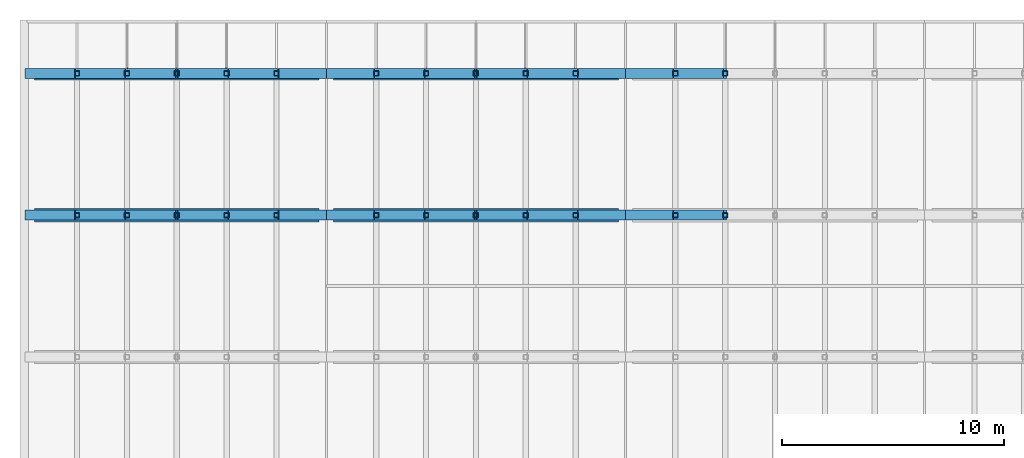
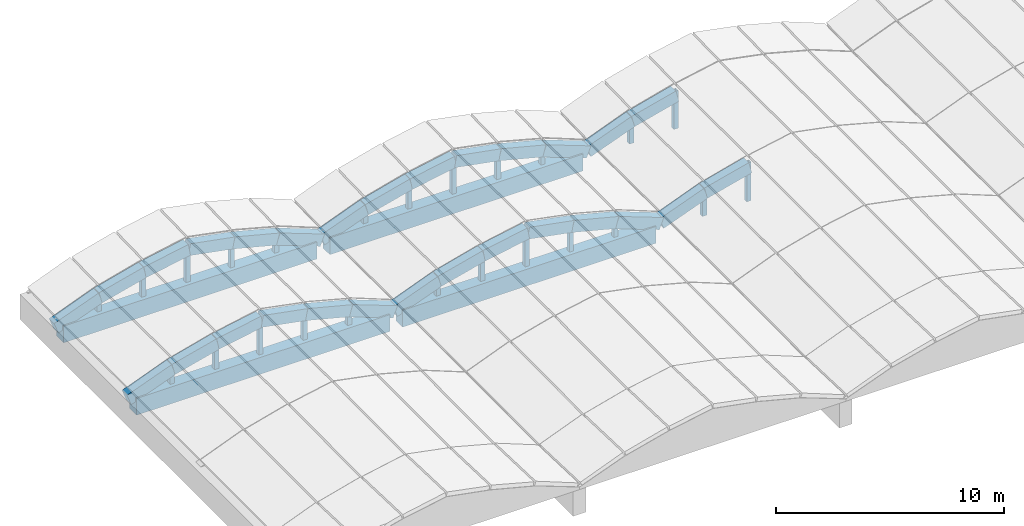
# One storey, part 3 of 15: 32 beams, 24 members.
"""IFC4 building model written with IfcOpenShell, lengths in metres."""

from ifc_helpers import new_model, si_unit, direction, frame, origin, origin_2d, place, context, subcontext, project, spatial, rectangle, hollow_rectangle, extrude, material, material_profile, profile_set, type_object, element, save


model = new_model("IFC4")

# Units and contexts
model_context = context("Model", 3, precision=1e-05, world=origin(), true_north=direction((0.0, 1.0)))
body_context = subcontext(model_context, "Body", "Model", "MODEL_VIEW")
ifc_project = project(units=[si_unit("LENGTHUNIT", "METRE"), si_unit("AREAUNIT", "SQUARE_METRE"), si_unit("VOLUMEUNIT", "CUBIC_METRE"), si_unit("PLANEANGLEUNIT", "RADIAN"), si_unit("MASSUNIT", "GRAM", prefix="KILO")], contexts=[model_context])

# Site, building, storey
site_placement = place(None, origin())
site = spatial("IfcSite", under=ifc_project, at=site_placement, CompositionType="ELEMENT")
building_placement = place(site_placement, origin())
building = spatial("IfcBuilding", under=site, at=building_placement, Name="Fikremerkos Civic Library", CompositionType="ELEMENT")
storey_placement = place(building_placement, frame((0.0, 0.0, 27.89990234375)))
storey = spatial("IfcBuildingStorey", under=building, at=storey_placement, Name="RF", CompositionType="ELEMENT", Elevation=27.89990234375)

# Members
ifc_material_1 = material(Name="Steel S355", Category="steel")
ifc_material_profile_1 = material_profile(ifc_material_1, hollow_rectangle(XDim=0.219970703125, YDim=0.219970703125, WallThickness=0.012451171875, at=origin_2d()), Name="SHS 220x220x12.5")
ifc_profile_set_1 = profile_set([ifc_material_profile_1], Name="Steel S355")
member_type = type_object("IfcMemberType", Name="Frame post PST-04 SHS 220x220x12.5", PredefinedType="POST", material=ifc_profile_set_1)
member_1_placement = place(storey_placement, frame((21.449951171875, 24.800048828125, -0.75), z_axis=(0.0, 0.0, 1.0), x_axis=(1.0, 0.0, 0.0)))
element("IfcMember", 1, at=member_1_placement, inside=storey, type_object=member_type, Name="Vault tied-arch web post PST-04 V1 R3.1", PredefinedType="POST", context=body_context, shape_type="SweptSolid", body=[
    extrude(hollow_rectangle(XDim=0.219970703125, YDim=0.219970703125, WallThickness=0.012451171875, at=origin_2d()), origin(), (0.0, 0.0, 1.0), 1.47607421875),
])
member_2_placement = place(storey_placement, frame((23.699951171875, 24.800048828125, -0.75), z_axis=(0.0, 0.0, 1.0), x_axis=(1.0, 0.0, 0.0)))
element("IfcMember", 2, at=member_2_placement, inside=storey, type_object=member_type, Name="Vault tied-arch web post PST-04 V1 R3.2", PredefinedType="POST", context=body_context, shape_type="SweptSolid", body=[
    extrude(hollow_rectangle(XDim=0.219970703125, YDim=0.219970703125, WallThickness=0.012451171875, at=origin_2d()), origin(), (0.0, 0.0, 1.0), 2.05419921875),
])
member_3_placement = place(storey_placement, frame((25.949951171875, 24.800048828125, -0.75), z_axis=(0.0, 0.0, 1.0), x_axis=(1.0, 0.0, 0.0)))
element("IfcMember", 3, at=member_3_placement, inside=storey, type_object=member_type, Name="Vault tied-arch web post PST-04 V1 R3.3", PredefinedType="POST", context=body_context, shape_type="SweptSolid", body=[
    extrude(hollow_rectangle(XDim=0.219970703125, YDim=0.219970703125, WallThickness=0.012451171875, at=origin_2d()), origin(), (0.0, 0.0, 1.0), 2.47412109375),
])
member_4_placement = place(storey_placement, frame((28.199951171875, 24.800048828125, -0.75), z_axis=(0.0, 0.0, 1.0), x_axis=(1.0, 0.0, 0.0)))
element("IfcMember", 4, at=member_4_placement, inside=storey, type_object=member_type, Name="Vault tied-arch web post PST-04 V1 R3.4", PredefinedType="POST", context=body_context, shape_type="SweptSolid", body=[
    extrude(hollow_rectangle(XDim=0.219970703125, YDim=0.219970703125, WallThickness=0.012451171875, at=origin_2d()), origin(), (0.0, 0.0, 1.0), 2.05419921875),
])
member_5_placement = place(storey_placement, frame((30.449951171875, 24.800048828125, -0.75), z_axis=(0.0, 0.0, 1.0), x_axis=(1.0, 0.0, 0.0)))
element("IfcMember", 5, at=member_5_placement, inside=storey, type_object=member_type, Name="Vault tied-arch web post PST-04 V1 R3.5", PredefinedType="POST", context=body_context, shape_type="SweptSolid", body=[
    extrude(hollow_rectangle(XDim=0.219970703125, YDim=0.219970703125, WallThickness=0.012451171875, at=origin_2d()), origin(), (0.0, 0.0, 1.0), 1.47607421875),
])
member_6_placement = place(storey_placement, frame((21.449951171875, 31.199951171875, -0.75), z_axis=(0.0, 0.0, 1.0), x_axis=(1.0, 0.0, 0.0)))
element("IfcMember", 6, at=member_6_placement, inside=storey, type_object=member_type, Name="Vault tied-arch web post PST-04 V1 R4.1", PredefinedType="POST", context=body_context, shape_type="SweptSolid", body=[
    extrude(hollow_rectangle(XDim=0.219970703125, YDim=0.219970703125, WallThickness=0.012451171875, at=origin_2d()), origin(), (0.0, 0.0, 1.0), 1.43603515625),
])
member_7_placement = place(storey_placement, frame((23.699951171875, 31.199951171875, -0.75), z_axis=(0.0, 0.0, 1.0), x_axis=(1.0, 0.0, 0.0)))
element("IfcMember", 7, at=member_7_placement, inside=storey, type_object=member_type, Name="Vault tied-arch web post PST-04 V1 R4.2", PredefinedType="POST", context=body_context, shape_type="SweptSolid", body=[
    extrude(hollow_rectangle(XDim=0.219970703125, YDim=0.219970703125, WallThickness=0.012451171875, at=origin_2d()), origin(), (0.0, 0.0, 1.0), 2.01416015625),
])
member_8_placement = place(storey_placement, frame((25.949951171875, 31.199951171875, -0.75), z_axis=(0.0, 0.0, 1.0), x_axis=(1.0, 0.0, 0.0)))
element("IfcMember", 8, at=member_8_placement, inside=storey, type_object=member_type, Name="Vault tied-arch web post PST-04 V1 R4.3", PredefinedType="POST", context=body_context, shape_type="SweptSolid", body=[
    extrude(hollow_rectangle(XDim=0.219970703125, YDim=0.219970703125, WallThickness=0.012451171875, at=origin_2d()), origin(), (0.0, 0.0, 1.0), 2.43408203125),
])
member_9_placement = place(storey_placement, frame((28.199951171875, 31.199951171875, -0.75), z_axis=(0.0, 0.0, 1.0), x_axis=(1.0, 0.0, 0.0)))
element("IfcMember", 9, at=member_9_placement, inside=storey, type_object=member_type, Name="Vault tied-arch web post PST-04 V1 R4.4", PredefinedType="POST", context=body_context, shape_type="SweptSolid", body=[
    extrude(hollow_rectangle(XDim=0.219970703125, YDim=0.219970703125, WallThickness=0.012451171875, at=origin_2d()), origin(), (0.0, 0.0, 1.0), 2.01416015625),
])
member_10_placement = place(storey_placement, frame((30.449951171875, 31.199951171875, -0.75), z_axis=(0.0, 0.0, 1.0), x_axis=(1.0, 0.0, 0.0)))
element("IfcMember", 10, at=member_10_placement, inside=storey, type_object=member_type, Name="Vault tied-arch web post PST-04 V1 R4.5", PredefinedType="POST", context=body_context, shape_type="SweptSolid", body=[
    extrude(hollow_rectangle(XDim=0.219970703125, YDim=0.219970703125, WallThickness=0.012451171875, at=origin_2d()), origin(), (0.0, 0.0, 1.0), 1.43603515625),
])
member_11_placement = place(storey_placement, frame((34.949951171875, 24.800048828125, -0.75), z_axis=(0.0, 0.0, 1.0), x_axis=(1.0, 0.0, 0.0)))
element("IfcMember", 11, at=member_11_placement, inside=storey, type_object=member_type, Name="Vault tied-arch web post PST-04 V2 R3.1", PredefinedType="POST", context=body_context, shape_type="SweptSolid", body=[
    extrude(hollow_rectangle(XDim=0.219970703125, YDim=0.219970703125, WallThickness=0.012451171875, at=origin_2d()), origin(), (0.0, 0.0, 1.0), 1.47607421875),
])
member_12_placement = place(storey_placement, frame((37.199951171875, 24.800048828125, -0.75), z_axis=(0.0, 0.0, 1.0), x_axis=(1.0, 0.0, 0.0)))
element("IfcMember", 12, at=member_12_placement, inside=storey, type_object=member_type, Name="Vault tied-arch web post PST-04 V2 R3.2", PredefinedType="POST", context=body_context, shape_type="SweptSolid", body=[
    extrude(hollow_rectangle(XDim=0.219970703125, YDim=0.219970703125, WallThickness=0.012451171875, at=origin_2d()), origin(), (0.0, 0.0, 1.0), 2.05419921875),
])
member_13_placement = place(storey_placement, frame((39.449951171875, 24.800048828125, -0.75), z_axis=(0.0, 0.0, 1.0), x_axis=(1.0, 0.0, 0.0)))
element("IfcMember", 13, at=member_13_placement, inside=storey, type_object=member_type, Name="Vault tied-arch web post PST-04 V2 R3.3", PredefinedType="POST", context=body_context, shape_type="SweptSolid", body=[
    extrude(hollow_rectangle(XDim=0.219970703125, YDim=0.219970703125, WallThickness=0.012451171875, at=origin_2d()), origin(), (0.0, 0.0, 1.0), 2.47412109375),
])
member_14_placement = place(storey_placement, frame((41.699951171875, 24.800048828125, -0.75), z_axis=(0.0, 0.0, 1.0), x_axis=(1.0, 0.0, 0.0)))
element("IfcMember", 14, at=member_14_placement, inside=storey, type_object=member_type, Name="Vault tied-arch web post PST-04 V2 R3.4", PredefinedType="POST", context=body_context, shape_type="SweptSolid", body=[
    extrude(hollow_rectangle(XDim=0.219970703125, YDim=0.219970703125, WallThickness=0.012451171875, at=origin_2d()), origin(), (0.0, 0.0, 1.0), 2.05419921875),
])
member_15_placement = place(storey_placement, frame((43.949951171875, 24.800048828125, -0.75), z_axis=(0.0, 0.0, 1.0), x_axis=(1.0, 0.0, 0.0)))
element("IfcMember", 15, at=member_15_placement, inside=storey, type_object=member_type, Name="Vault tied-arch web post PST-04 V2 R3.5", PredefinedType="POST", context=body_context, shape_type="SweptSolid", body=[
    extrude(hollow_rectangle(XDim=0.219970703125, YDim=0.219970703125, WallThickness=0.012451171875, at=origin_2d()), origin(), (0.0, 0.0, 1.0), 1.47607421875),
])
member_16_placement = place(storey_placement, frame((34.949951171875, 31.199951171875, -0.75), z_axis=(0.0, 0.0, 1.0), x_axis=(1.0, 0.0, 0.0)))
element("IfcMember", 16, at=member_16_placement, inside=storey, type_object=member_type, Name="Vault tied-arch web post PST-04 V2 R4.1", PredefinedType="POST", context=body_context, shape_type="SweptSolid", body=[
    extrude(hollow_rectangle(XDim=0.219970703125, YDim=0.219970703125, WallThickness=0.012451171875, at=origin_2d()), origin(), (0.0, 0.0, 1.0), 1.43603515625),
])
member_17_placement = place(storey_placement, frame((37.199951171875, 31.199951171875, -0.75), z_axis=(0.0, 0.0, 1.0), x_axis=(1.0, 0.0, 0.0)))
element("IfcMember", 17, at=member_17_placement, inside=storey, type_object=member_type, Name="Vault tied-arch web post PST-04 V2 R4.2", PredefinedType="POST", context=body_context, shape_type="SweptSolid", body=[
    extrude(hollow_rectangle(XDim=0.219970703125, YDim=0.219970703125, WallThickness=0.012451171875, at=origin_2d()), origin(), (0.0, 0.0, 1.0), 2.01416015625),
])
member_18_placement = place(storey_placement, frame((39.449951171875, 31.199951171875, -0.75), z_axis=(0.0, 0.0, 1.0), x_axis=(1.0, 0.0, 0.0)))
element("IfcMember", 18, at=member_18_placement, inside=storey, type_object=member_type, Name="Vault tied-arch web post PST-04 V2 R4.3", PredefinedType="POST", context=body_context, shape_type="SweptSolid", body=[
    extrude(hollow_rectangle(XDim=0.219970703125, YDim=0.219970703125, WallThickness=0.012451171875, at=origin_2d()), origin(), (0.0, 0.0, 1.0), 2.43408203125),
])
member_19_placement = place(storey_placement, frame((41.699951171875, 31.199951171875, -0.75), z_axis=(0.0, 0.0, 1.0), x_axis=(1.0, 0.0, 0.0)))
element("IfcMember", 19, at=member_19_placement, inside=storey, type_object=member_type, Name="Vault tied-arch web post PST-04 V2 R4.4", PredefinedType="POST", context=body_context, shape_type="SweptSolid", body=[
    extrude(hollow_rectangle(XDim=0.219970703125, YDim=0.219970703125, WallThickness=0.012451171875, at=origin_2d()), origin(), (0.0, 0.0, 1.0), 2.01416015625),
])
member_20_placement = place(storey_placement, frame((43.949951171875, 31.199951171875, -0.75), z_axis=(0.0, 0.0, 1.0), x_axis=(1.0, 0.0, 0.0)))
element("IfcMember", 20, at=member_20_placement, inside=storey, type_object=member_type, Name="Vault tied-arch web post PST-04 V2 R4.5", PredefinedType="POST", context=body_context, shape_type="SweptSolid", body=[
    extrude(hollow_rectangle(XDim=0.219970703125, YDim=0.219970703125, WallThickness=0.012451171875, at=origin_2d()), origin(), (0.0, 0.0, 1.0), 1.43603515625),
])
member_21_placement = place(storey_placement, frame((48.449951171875, 24.800048828125, -0.75), z_axis=(0.0, 0.0, 1.0), x_axis=(1.0, 0.0, 0.0)))
element("IfcMember", 21, at=member_21_placement, inside=storey, type_object=member_type, Name="Vault tied-arch web post PST-04 V3 R3.1", PredefinedType="POST", context=body_context, shape_type="SweptSolid", body=[
    extrude(hollow_rectangle(XDim=0.219970703125, YDim=0.219970703125, WallThickness=0.012451171875, at=origin_2d()), origin(), (0.0, 0.0, 1.0), 1.47607421875),
])
member_22_placement = place(storey_placement, frame((50.699951171875, 24.800048828125, -0.75), z_axis=(0.0, 0.0, 1.0), x_axis=(1.0, 0.0, 0.0)))
element("IfcMember", 22, at=member_22_placement, inside=storey, type_object=member_type, Name="Vault tied-arch web post PST-04 V3 R3.2", PredefinedType="POST", context=body_context, shape_type="SweptSolid", body=[
    extrude(hollow_rectangle(XDim=0.219970703125, YDim=0.219970703125, WallThickness=0.012451171875, at=origin_2d()), origin(), (0.0, 0.0, 1.0), 2.05419921875),
])
member_23_placement = place(storey_placement, frame((48.449951171875, 31.199951171875, -0.75), z_axis=(0.0, 0.0, 1.0), x_axis=(1.0, 0.0, 0.0)))
element("IfcMember", 23, at=member_23_placement, inside=storey, type_object=member_type, Name="Vault tied-arch web post PST-04 V3 R4.1", PredefinedType="POST", context=body_context, shape_type="SweptSolid", body=[
    extrude(hollow_rectangle(XDim=0.219970703125, YDim=0.219970703125, WallThickness=0.012451171875, at=origin_2d()), origin(), (0.0, 0.0, 1.0), 1.43603515625),
])
member_24_placement = place(storey_placement, frame((50.699951171875, 31.199951171875, -0.75), z_axis=(0.0, 0.0, 1.0), x_axis=(1.0, 0.0, 0.0)))
element("IfcMember", 24, at=member_24_placement, inside=storey, type_object=member_type, Name="Vault tied-arch web post PST-04 V3 R4.2", PredefinedType="POST", context=body_context, shape_type="SweptSolid", body=[
    extrude(hollow_rectangle(XDim=0.219970703125, YDim=0.219970703125, WallThickness=0.012451171875, at=origin_2d()), origin(), (0.0, 0.0, 1.0), 2.01416015625),
])

# Beams
ifc_material_2 = material(Name="Concrete C45/55", Category="concrete")
ifc_material_profile_2 = material_profile(ifc_material_2, rectangle(XDim=0.449951171875, YDim=0.6201171875, at=origin_2d()), Name="RC 450x620")
ifc_profile_set_2 = profile_set([ifc_material_profile_2], Name="Concrete C45/55")
beam_type_1 = type_object("IfcBeamType", Name="Primary girder vault arch rib BM-10 RC 450x620", PredefinedType="BEAM", material=ifc_profile_set_2)
beam_1_placement = place(storey_placement, frame((19.199951171875, 24.800048828125, -0.309814453125), z_axis=(0.936028311828, 0.0, 0.351924707084), x_axis=(0.0, 1.0, 0.0)))
element("IfcBeam", 25, at=beam_1_placement, inside=storey, type_object=beam_type_1, Name="Concrete vault arch rib BM-10 V1 R3.1", PredefinedType="BEAM", context=body_context, shape_type="SweptSolid", body=[
    extrude(rectangle(XDim=0.449951171875, YDim=0.6201171875, at=origin_2d()), origin(), (0.0, 0.0, 1.0), 2.40380859375),
])
beam_2_placement = place(storey_placement, frame((21.449951171875, 24.800048828125, 0.5361328125), z_axis=(0.968564592705, 0.0, 0.248762195197), x_axis=(0.0, 1.0, 0.0)))
element("IfcBeam", 26, at=beam_2_placement, inside=storey, type_object=beam_type_1, Name="Concrete vault arch rib BM-10 V1 R3.2", PredefinedType="BEAM", context=body_context, shape_type="SweptSolid", body=[
    extrude(rectangle(XDim=0.449951171875, YDim=0.6201171875, at=origin_2d()), origin(), (0.0, 0.0, 1.0), 2.322998046875),
])
for number, where, z_axis, x_axis, name in (
    (27, (23.699951171875, 24.800048828125, 1.114013671875), (0.983007163041, 0.0, 0.183567201345), (0.0, 1.0, 0.0), "Concrete vault arch rib BM-10 V1 R3.3"),
    (28, (25.949951171875, 24.800048828125, 1.5341796875), (0.983007163041, 0.0, -0.183567201345), (0.0, 1.0, 0.0), "Concrete vault arch rib BM-10 V1 R3.4"),
):
    element("IfcBeam", number, at=place(storey_placement, frame(where, z_axis=z_axis, x_axis=x_axis)), inside=storey, type_object=beam_type_1, Name=name, PredefinedType="BEAM", context=body_context, shape_type="SweptSolid", body=[
        extrude(rectangle(XDim=0.449951171875, YDim=0.6201171875, at=origin_2d()), origin(), (0.0, 0.0, 1.0), 2.288818359375),
    ])
beam_3_placement = place(storey_placement, frame((28.199951171875, 24.800048828125, 1.114013671875), z_axis=(0.968564592705, 0.0, -0.248762195197), x_axis=(0.0, 1.0, 0.0)))
element("IfcBeam", 29, at=beam_3_placement, inside=storey, type_object=beam_type_1, Name="Concrete vault arch rib BM-10 V1 R3.5", PredefinedType="BEAM", context=body_context, shape_type="SweptSolid", body=[
    extrude(rectangle(XDim=0.449951171875, YDim=0.6201171875, at=origin_2d()), origin(), (0.0, 0.0, 1.0), 2.322998046875),
])
for number, where, z_axis, x_axis, name in (
    (30, (30.449951171875, 24.800048828125, 0.5361328125), (0.936028311828, 0.0, -0.351924707084), (0.0, 1.0, 0.0), "Concrete vault arch rib BM-10 V1 R3.6"),
    (31, (19.199951171875, 31.199951171875, -0.349853515625), (0.936028311828, 0.0, 0.351924707084), (0.0, 1.0, 0.0), "Concrete vault arch rib BM-10 V1 R4.1"),
):
    element("IfcBeam", number, at=place(storey_placement, frame(where, z_axis=z_axis, x_axis=x_axis)), inside=storey, type_object=beam_type_1, Name=name, PredefinedType="BEAM", context=body_context, shape_type="SweptSolid", body=[
        extrude(rectangle(XDim=0.449951171875, YDim=0.6201171875, at=origin_2d()), origin(), (0.0, 0.0, 1.0), 2.40380859375),
    ])
beam_4_placement = place(storey_placement, frame((21.449951171875, 31.199951171875, 0.49609375), z_axis=(0.968539266286, 0.0, 0.248860783698), x_axis=(0.0, 1.0, 0.0)))
element("IfcBeam", 32, at=beam_4_placement, inside=storey, type_object=beam_type_1, Name="Concrete vault arch rib BM-10 V1 R4.2", PredefinedType="BEAM", context=body_context, shape_type="SweptSolid", body=[
    extrude(rectangle(XDim=0.449951171875, YDim=0.6201171875, at=origin_2d()), origin(), (0.0, 0.0, 1.0), 2.322998046875),
])
for number, where, z_axis, x_axis, name in (
    (33, (23.699951171875, 31.199951171875, 1.07421875), (0.983026405145, 0.0, 0.183464129432), (0.0, 1.0, 0.0), "Concrete vault arch rib BM-10 V1 R4.3"),
    (34, (25.949951171875, 31.199951171875, 1.494140625), (0.983026405145, 0.0, -0.183464129432), (0.0, 1.0, 0.0), "Concrete vault arch rib BM-10 V1 R4.4"),
):
    element("IfcBeam", number, at=place(storey_placement, frame(where, z_axis=z_axis, x_axis=x_axis)), inside=storey, type_object=beam_type_1, Name=name, PredefinedType="BEAM", context=body_context, shape_type="SweptSolid", body=[
        extrude(rectangle(XDim=0.449951171875, YDim=0.6201171875, at=origin_2d()), origin(), (0.0, 0.0, 1.0), 2.288818359375),
    ])
beam_5_placement = place(storey_placement, frame((28.199951171875, 31.199951171875, 1.07421875), z_axis=(0.968539266286, 0.0, -0.248860783698), x_axis=(0.0, 1.0, 0.0)))
element("IfcBeam", 35, at=beam_5_placement, inside=storey, type_object=beam_type_1, Name="Concrete vault arch rib BM-10 V1 R4.5", PredefinedType="BEAM", context=body_context, shape_type="SweptSolid", body=[
    extrude(rectangle(XDim=0.449951171875, YDim=0.6201171875, at=origin_2d()), origin(), (0.0, 0.0, 1.0), 2.322998046875),
])
for number, where, z_axis, x_axis, name in (
    (36, (30.449951171875, 31.199951171875, 0.49609375), (0.936028311828, 0.0, -0.351924707084), (0.0, 1.0, 0.0), "Concrete vault arch rib BM-10 V1 R4.6"),
    (37, (32.699951171875, 24.800048828125, -0.309814453125), (0.936028311828, 0.0, 0.351924707084), (0.0, 1.0, 0.0), "Concrete vault arch rib BM-10 V2 R3.1"),
):
    element("IfcBeam", number, at=place(storey_placement, frame(where, z_axis=z_axis, x_axis=x_axis)), inside=storey, type_object=beam_type_1, Name=name, PredefinedType="BEAM", context=body_context, shape_type="SweptSolid", body=[
        extrude(rectangle(XDim=0.449951171875, YDim=0.6201171875, at=origin_2d()), origin(), (0.0, 0.0, 1.0), 2.40380859375),
    ])
beam_6_placement = place(storey_placement, frame((34.949951171875, 24.800048828125, 0.5361328125), z_axis=(0.968564592705, 0.0, 0.248762195197), x_axis=(0.0, 1.0, 0.0)))
element("IfcBeam", 38, at=beam_6_placement, inside=storey, type_object=beam_type_1, Name="Concrete vault arch rib BM-10 V2 R3.2", PredefinedType="BEAM", context=body_context, shape_type="SweptSolid", body=[
    extrude(rectangle(XDim=0.449951171875, YDim=0.6201171875, at=origin_2d()), origin(), (0.0, 0.0, 1.0), 2.322998046875),
])
for number, where, z_axis, x_axis, name in (
    (39, (37.199951171875, 24.800048828125, 1.114013671875), (0.983007163041, 0.0, 0.183567201345), (0.0, 1.0, 0.0), "Concrete vault arch rib BM-10 V2 R3.3"),
    (40, (39.449951171875, 24.800048828125, 1.5341796875), (0.983007163041, 0.0, -0.183567201345), (0.0, 1.0, 0.0), "Concrete vault arch rib BM-10 V2 R3.4"),
):
    element("IfcBeam", number, at=place(storey_placement, frame(where, z_axis=z_axis, x_axis=x_axis)), inside=storey, type_object=beam_type_1, Name=name, PredefinedType="BEAM", context=body_context, shape_type="SweptSolid", body=[
        extrude(rectangle(XDim=0.449951171875, YDim=0.6201171875, at=origin_2d()), origin(), (0.0, 0.0, 1.0), 2.288818359375),
    ])
beam_7_placement = place(storey_placement, frame((41.699951171875, 24.800048828125, 1.114013671875), z_axis=(0.968564592705, 0.0, -0.248762195197), x_axis=(0.0, 1.0, 0.0)))
element("IfcBeam", 41, at=beam_7_placement, inside=storey, type_object=beam_type_1, Name="Concrete vault arch rib BM-10 V2 R3.5", PredefinedType="BEAM", context=body_context, shape_type="SweptSolid", body=[
    extrude(rectangle(XDim=0.449951171875, YDim=0.6201171875, at=origin_2d()), origin(), (0.0, 0.0, 1.0), 2.322998046875),
])
for number, where, z_axis, x_axis, name in (
    (42, (43.949951171875, 24.800048828125, 0.5361328125), (0.936028311828, 0.0, -0.351924707084), (0.0, 1.0, 0.0), "Concrete vault arch rib BM-10 V2 R3.6"),
    (43, (32.699951171875, 31.199951171875, -0.349853515625), (0.936028311828, 0.0, 0.351924707084), (0.0, 1.0, 0.0), "Concrete vault arch rib BM-10 V2 R4.1"),
):
    element("IfcBeam", number, at=place(storey_placement, frame(where, z_axis=z_axis, x_axis=x_axis)), inside=storey, type_object=beam_type_1, Name=name, PredefinedType="BEAM", context=body_context, shape_type="SweptSolid", body=[
        extrude(rectangle(XDim=0.449951171875, YDim=0.6201171875, at=origin_2d()), origin(), (0.0, 0.0, 1.0), 2.40380859375),
    ])
beam_8_placement = place(storey_placement, frame((34.949951171875, 31.199951171875, 0.49609375), z_axis=(0.968539266286, 0.0, 0.248860783698), x_axis=(0.0, 1.0, 0.0)))
element("IfcBeam", 44, at=beam_8_placement, inside=storey, type_object=beam_type_1, Name="Concrete vault arch rib BM-10 V2 R4.2", PredefinedType="BEAM", context=body_context, shape_type="SweptSolid", body=[
    extrude(rectangle(XDim=0.449951171875, YDim=0.6201171875, at=origin_2d()), origin(), (0.0, 0.0, 1.0), 2.322998046875),
])
for number, where, z_axis, x_axis, name in (
    (45, (37.199951171875, 31.199951171875, 1.07421875), (0.983026405145, 0.0, 0.183464129432), (0.0, 1.0, 0.0), "Concrete vault arch rib BM-10 V2 R4.3"),
    (46, (39.449951171875, 31.199951171875, 1.494140625), (0.983026405145, 0.0, -0.183464129432), (0.0, 1.0, 0.0), "Concrete vault arch rib BM-10 V2 R4.4"),
):
    element("IfcBeam", number, at=place(storey_placement, frame(where, z_axis=z_axis, x_axis=x_axis)), inside=storey, type_object=beam_type_1, Name=name, PredefinedType="BEAM", context=body_context, shape_type="SweptSolid", body=[
        extrude(rectangle(XDim=0.449951171875, YDim=0.6201171875, at=origin_2d()), origin(), (0.0, 0.0, 1.0), 2.288818359375),
    ])
beam_9_placement = place(storey_placement, frame((41.699951171875, 31.199951171875, 1.07421875), z_axis=(0.968539266286, 0.0, -0.248860783698), x_axis=(0.0, 1.0, 0.0)))
element("IfcBeam", 47, at=beam_9_placement, inside=storey, type_object=beam_type_1, Name="Concrete vault arch rib BM-10 V2 R4.5", PredefinedType="BEAM", context=body_context, shape_type="SweptSolid", body=[
    extrude(rectangle(XDim=0.449951171875, YDim=0.6201171875, at=origin_2d()), origin(), (0.0, 0.0, 1.0), 2.322998046875),
])
for number, where, z_axis, x_axis, name in (
    (48, (43.949951171875, 31.199951171875, 0.49609375), (0.936028311828, 0.0, -0.351924707084), (0.0, 1.0, 0.0), "Concrete vault arch rib BM-10 V2 R4.6"),
    (49, (46.199951171875, 24.800048828125, -0.309814453125), (0.936028311828, 0.0, 0.351924707084), (0.0, 1.0, 0.0), "Concrete vault arch rib BM-10 V3 R3.1"),
):
    element("IfcBeam", number, at=place(storey_placement, frame(where, z_axis=z_axis, x_axis=x_axis)), inside=storey, type_object=beam_type_1, Name=name, PredefinedType="BEAM", context=body_context, shape_type="SweptSolid", body=[
        extrude(rectangle(XDim=0.449951171875, YDim=0.6201171875, at=origin_2d()), origin(), (0.0, 0.0, 1.0), 2.40380859375),
    ])
beam_10_placement = place(storey_placement, frame((48.449951171875, 24.800048828125, 0.5361328125), z_axis=(0.968564592705, 0.0, 0.248762195197), x_axis=(0.0, 1.0, 0.0)))
element("IfcBeam", 50, at=beam_10_placement, inside=storey, type_object=beam_type_1, Name="Concrete vault arch rib BM-10 V3 R3.2", PredefinedType="BEAM", context=body_context, shape_type="SweptSolid", body=[
    extrude(rectangle(XDim=0.449951171875, YDim=0.6201171875, at=origin_2d()), origin(), (0.0, 0.0, 1.0), 2.322998046875),
])
beam_11_placement = place(storey_placement, frame((46.199951171875, 31.199951171875, -0.349853515625), z_axis=(0.936028311828, 0.0, 0.351924707084), x_axis=(0.0, 1.0, 0.0)))
element("IfcBeam", 51, at=beam_11_placement, inside=storey, type_object=beam_type_1, Name="Concrete vault arch rib BM-10 V3 R4.1", PredefinedType="BEAM", context=body_context, shape_type="SweptSolid", body=[
    extrude(rectangle(XDim=0.449951171875, YDim=0.6201171875, at=origin_2d()), origin(), (0.0, 0.0, 1.0), 2.40380859375),
])
beam_12_placement = place(storey_placement, frame((48.449951171875, 31.199951171875, 0.49609375), z_axis=(0.968539266286, 0.0, 0.248860783698), x_axis=(0.0, 1.0, 0.0)))
element("IfcBeam", 52, at=beam_12_placement, inside=storey, type_object=beam_type_1, Name="Concrete vault arch rib BM-10 V3 R4.2", PredefinedType="BEAM", context=body_context, shape_type="SweptSolid", body=[
    extrude(rectangle(XDim=0.449951171875, YDim=0.6201171875, at=origin_2d()), origin(), (0.0, 0.0, 1.0), 2.322998046875),
])
ifc_material_profile_3 = material_profile(ifc_material_2, rectangle(XDim=0.60009765625, YDim=0.89990234375, at=origin_2d()), Name="RC 600x900")
ifc_profile_set_3 = profile_set([ifc_material_profile_3], Name="Concrete C45/55")
beam_type_2 = type_object("IfcBeamType", Name="Primary girder vault tie ring BM-09 RC 600x900", PredefinedType="BEAM", material=ifc_profile_set_3)
for number, where, z_axis, x_axis, name in (
    (53, (19.52490234375, 24.800048828125, -0.75), (1.0, 0.0, 0.0), (0.0, 1.0, 0.0), "Vault springing tie ring beam BM-09 V1 #3"),
    (54, (19.52490234375, 31.199951171875, -0.75), (1.0, 0.0, 0.0), (0.0, 1.0, 0.0), "Vault springing tie ring beam BM-09 V1 #4"),
    (55, (33.02490234375, 24.800048828125, -0.75), (1.0, 0.0, 0.0), (0.0, 1.0, 0.0), "Vault springing tie ring beam BM-09 V2 #3"),
    (56, (33.02490234375, 31.199951171875, -0.75), (1.0, 0.0, 0.0), (0.0, 1.0, 0.0), "Vault springing tie ring beam BM-09 V2 #4"),
):
    element("IfcBeam", number, at=place(storey_placement, frame(where, z_axis=z_axis, x_axis=x_axis)), inside=storey, type_object=beam_type_2, Name=name, PredefinedType="BEAM", context=body_context, shape_type="SweptSolid", body=[
        extrude(rectangle(XDim=0.60009765625, YDim=0.89990234375, at=origin_2d()), origin(), (0.0, 0.0, 1.0), 12.85009765625),
    ])

save(model, "model.ifc")
